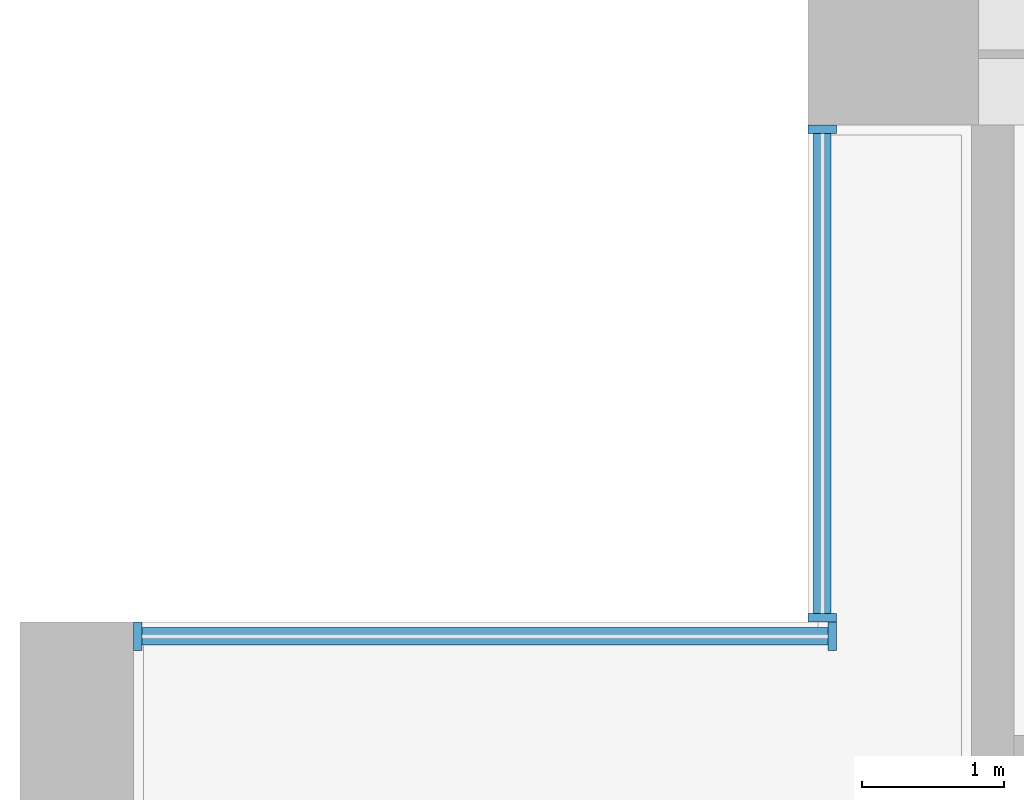
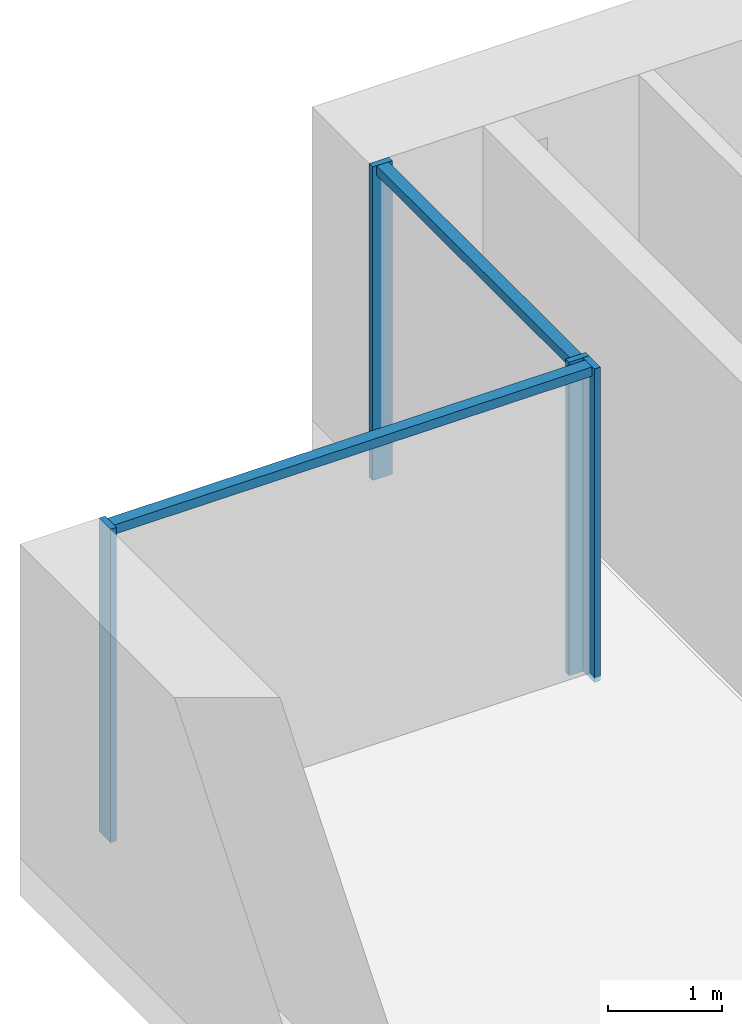
# One storey, part 4 of 18: 6 members, 2 elements without a shape of their own.
"""IFC4 building model written with IfcOpenShell, lengths in metres."""

from ifc_helpers import new_model, si_unit, direction, frame, origin, origin_2d, place, context, subcontext, project, spatial, rectangle, extrude, material, material_profile, profile_set, type_object, element, aggregate, save


model = new_model("IFC4")

# Units and contexts
model_context = context("Model", 3, precision=1e-05, world=origin(), true_north=direction((0.0, 1.0)))
body_context = subcontext(model_context, "Body", "Model", "MODEL_VIEW")
ifc_project = project(units=[si_unit("LENGTHUNIT", "METRE"), si_unit("AREAUNIT", "SQUARE_METRE"), si_unit("VOLUMEUNIT", "CUBIC_METRE"), si_unit("PLANEANGLEUNIT", "RADIAN"), si_unit("MASSUNIT", "GRAM", prefix="KILO")], contexts=[model_context])

# Site, building, storey
site_placement = place(None, origin())
site = spatial("IfcSite", under=ifc_project, at=site_placement, CompositionType="ELEMENT")
building_placement = place(site_placement, origin())
building = spatial("IfcBuilding", under=site, at=building_placement, Name="Calvaro Tower", CompositionType="ELEMENT")
storey_placement = place(building_placement, frame((0.0, 0.0, 63.75)))
storey = spatial("IfcBuildingStorey", under=building, at=storey_placement, Name="L15", CompositionType="ELEMENT", Elevation=63.75)

# Curtain wall, members
ifc_material_1 = material(Name="Anodised aluminium", Category="aluminium")
curtain_wall_type = type_object("IfcCurtainWallType", Name="Office curtain wall, lower zone", PredefinedType="NOTDEFINED", material=ifc_material_1)
curtain_wall_1_placement = place(storey_placement, origin())
curtain_wall_1 = element("IfcCurtainWall", 1, at=curtain_wall_1_placement, inside=storey, type_object=curtain_wall_type, Name="CW1 corner curtain wall", PredefinedType="NOTDEFINED")
ifc_material_2 = material(Name="Anodised aluminium", Category="aluminium")
ifc_material_profile_1 = material_profile(ifc_material_2, rectangle(XDim=0.199951171875, YDim=0.06005859375, at=origin_2d()), Name="Mullion S1 60 x 200")
ifc_profile_set_1 = profile_set([ifc_material_profile_1], Name="Anodised aluminium")
member_type_1 = type_object("IfcMemberType", Name="Mullion S1 60 x 200", PredefinedType="MULLION", material=ifc_profile_set_1)
member_1_placement = place(storey_placement, frame((5.64990234375, 41.530029296875, 0.0), z_axis=(0.0, 0.0, 1.0), x_axis=(-1.0, 0.0, 0.0)))
member_1 = element("IfcMember", 2, at=member_1_placement, type_object=member_type_1, Name="CW1 mullion 1", PredefinedType="MULLION", context=body_context, shape_type="SweptSolid", body=[
    extrude(rectangle(XDim=0.199951171875, YDim=0.06005859375, at=origin_2d()), origin(), (0.0, 0.0, 1.0), 3.35009765625),
])
member_2_placement = place(storey_placement, frame((5.64990234375, 44.969970703125, 0.0), z_axis=(0.0, 0.0, 1.0), x_axis=(-1.0, 0.0, 0.0)))
member_2 = element("IfcMember", 3, at=member_2_placement, type_object=member_type_1, Name="CW1 mullion 2", PredefinedType="MULLION", context=body_context, shape_type="SweptSolid", body=[
    extrude(rectangle(XDim=0.199951171875, YDim=0.06005859375, at=origin_2d()), origin(), (0.0, 0.0, 1.0), 3.35009765625),
])

curtain_wall_2_placement = place(storey_placement, origin())
curtain_wall_2 = element("IfcCurtainWall", 4, at=curtain_wall_2_placement, inside=storey, type_object=curtain_wall_type, Name="CW1 corner curtain wall", PredefinedType="NOTDEFINED")
member_3_placement = place(storey_placement, frame((0.830078125, 41.39990234375, 0.0), z_axis=(0.0, 0.0, 1.0), x_axis=(0.0, 1.0, 0.0)))
member_3 = element("IfcMember", 5, at=member_3_placement, type_object=member_type_1, Name="CW1 mullion 1", PredefinedType="MULLION", context=body_context, shape_type="SweptSolid", body=[
    extrude(rectangle(XDim=0.199951171875, YDim=0.06005859375, at=origin_2d()), origin(), (0.0, 0.0, 1.0), 3.35009765625),
])
member_4_placement = place(storey_placement, frame((5.719970703125, 41.39990234375, 0.0), z_axis=(0.0, 0.0, 1.0), x_axis=(0.0, 1.0, 0.0)))
member_4 = element("IfcMember", 6, at=member_4_placement, type_object=member_type_1, Name="CW1 mullion 2", PredefinedType="MULLION", context=body_context, shape_type="SweptSolid", body=[
    extrude(rectangle(XDim=0.199951171875, YDim=0.06005859375, at=origin_2d()), origin(), (0.0, 0.0, 1.0), 3.35009765625),
])

# Member
ifc_material_3 = material(Name="Anodised aluminium", Category="aluminium")
ifc_material_profile_2 = material_profile(ifc_material_3, rectangle(XDim=0.1201171875, YDim=0.10009765625, at=origin_2d()), Name="Transom S1 100 x 120")
ifc_profile_set_2 = profile_set([ifc_material_profile_2], Name="Anodised aluminium")
member_type_2 = type_object("IfcMemberType", Name="Transom S1 100 x 120", PredefinedType="USERDEFINED", material=ifc_profile_set_2)
member_5_placement = place(storey_placement, frame((5.64990234375, 41.56005859375, 3.300048828125), z_axis=(0.0, 1.0, 0.0), x_axis=(-1.0, 0.0, 0.0)))
member_5 = element("IfcMember", 7, at=member_5_placement, type_object=member_type_2, Name="CW1 transom 1.1", ObjectType="TRANSOM", PredefinedType="USERDEFINED", context=body_context, shape_type="SweptSolid", body=[
    extrude(rectangle(XDim=0.1201171875, YDim=0.10009765625, at=origin_2d()), origin(), (0.0, 0.0, 1.0), 3.3798828125),
])

aggregate(curtain_wall_1, [member_1, member_2, member_5])

member_6_placement = place(storey_placement, frame((0.860107421875, 41.39990234375, 3.300048828125), z_axis=(1.0, 0.0, 0.0), x_axis=(0.0, 1.0, 0.0)))
member_6 = element("IfcMember", 8, at=member_6_placement, type_object=member_type_2, Name="CW1 transom 1.1", ObjectType="TRANSOM", PredefinedType="USERDEFINED", context=body_context, shape_type="SweptSolid", body=[
    extrude(rectangle(XDim=0.1201171875, YDim=0.10009765625, at=origin_2d()), origin(), (0.0, 0.0, 1.0), 4.829833984375),
])

aggregate(curtain_wall_2, [member_3, member_4, member_6])

save(model, "model.ifc")
